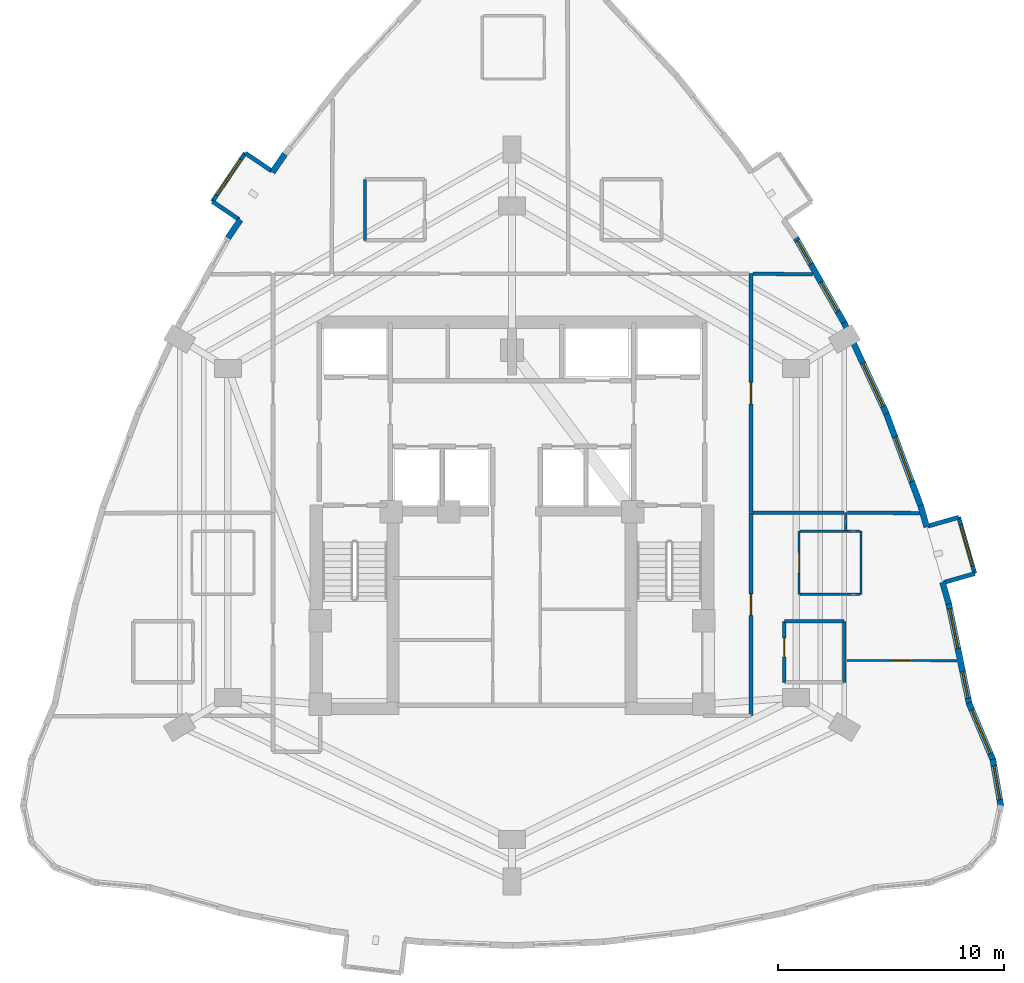
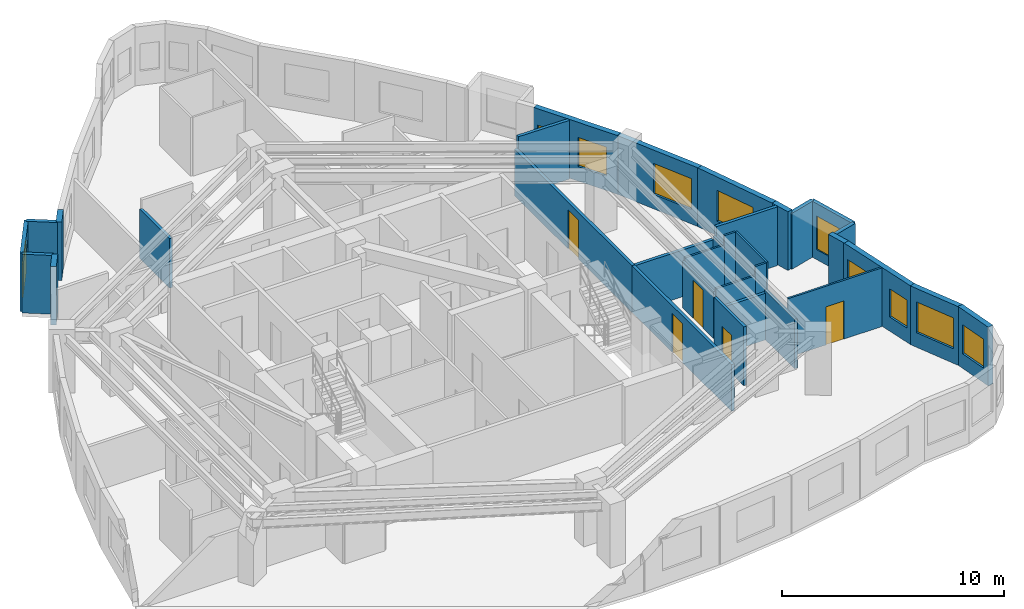
# One storey, part 6 of 9: 33 walls, 10 windows, 5 doors, 15 openings.
"""IFC4 building model written with IfcOpenShell, lengths in metres."""

from ifc_helpers import new_model, si_unit, direction, frame, frame_2d, origin, place, context, subcontext, project, spatial, rectangle, extrude, material, layer, layer_set, type_object, element, fill, save


model = new_model("IFC4")

# Units and contexts
model_context = context("Model", 3, precision=1e-05, world=origin(), true_north=direction((0.0, 1.0)))
body_context = subcontext(model_context, "Body", "Model", "MODEL_VIEW")
ifc_project = project(units=[si_unit("LENGTHUNIT", "METRE"), si_unit("AREAUNIT", "SQUARE_METRE"), si_unit("VOLUMEUNIT", "CUBIC_METRE"), si_unit("PLANEANGLEUNIT", "RADIAN"), si_unit("MASSUNIT", "GRAM", prefix="KILO")], contexts=[model_context])

# Site, building, storey
site_placement = place(None, origin())
site = spatial("IfcSite", under=ifc_project, at=site_placement, CompositionType="ELEMENT")
building_placement = place(site_placement, origin())
building = spatial("IfcBuilding", under=site, at=building_placement, Name="Miruveldt Soraemaru", CompositionType="ELEMENT")
storey_placement = place(building_placement, frame((0.0, 0.0, 138.89990234375)))
storey = spatial("IfcBuildingStorey", under=building, at=storey_placement, Name="L38", CompositionType="ELEMENT", Elevation=138.89990234375)

# Walls
ifc_material_1 = material(Name="White powder-coated aluminium EN AW-6060 T6", Category="aluminium")
ifc_layer_1 = layer(ifc_material_1, 0.18994140625, Name="White powder-coated aluminium EN AW-6060 T6", Category="aluminium")
ifc_layer_set_1 = layer_set([ifc_layer_1], Name="White powder-coated aluminium EN AW-6060 T6")
wall_type_1 = type_object("IfcWallType", Name="WALL-BAY-ALU190", PredefinedType="SOLIDWALL", material=ifc_layer_set_1)
for number, where, z_axis, x_axis, name in (
    (1, (33.350341796875, 59.151611328125, 0.0), (0.0, 0.0, 1.0), (-0.827995667279, 0.560734495966, 0.0), "L38 Bay Window Side Cheek 4L"),
    (2, (30.71240234375, 57.798095703125, 0.0), (0.0, 0.0, 1.0), (0.827862228344, -0.560931485016, 0.0), "L38 Bay Window Side Cheek 4R"),
):
    element("IfcWall", number, at=place(storey_placement, frame(where, z_axis=z_axis, x_axis=x_axis)), inside=storey, type_object=wall_type_1, Name=name, PredefinedType="SOLIDWALL", context=body_context, shape_type="SweptSolid", body=[
        extrude(rectangle(XDim=1.425048828125, YDim=0.18994140625, at=frame_2d((0.71240234375, 0.0))), origin(), (0.0, 0.0, 1.0), 3.235107421875),
    ])

# Wall, opening, window
wall_1_placement = place(storey_placement, frame((32.17041015625, 59.95068359375, 0.0), z_axis=(0.0, 0.0, 1.0), x_axis=(-0.560796235507, -0.827953852724, 0.0)))
wall_1 = element("IfcWall", 3, at=wall_1_placement, inside=storey, type_object=wall_type_1, Name="L38 Bay Window Front Frame 4", PredefinedType="SOLIDWALL", context=body_context, shape_type="SweptSolid", body=[
    extrude(rectangle(XDim=2.599853515625, YDim=0.18994140625, at=frame_2d((1.2998046875, 0.0))), origin(), (0.0, 0.0, 1.0), 3.235107421875),
])
opening_1_placement = place(wall_1_placement, frame((0.35009765625, 0.0, 0.550048828125)))
opening_1 = element("IfcOpeningElement", 4, at=opening_1_placement, cuts=wall_1, Name="Opening WN-6", PredefinedType="OPENING", context=body_context, shape_type="SweptSolid", body=[
    extrude(rectangle(XDim=1.89990234375, YDim=1.85009765625, at=frame_2d((0.949951171875, 0.925048828125))), frame((0.0, 0.10498046875, 0.0), z_axis=(0.0, -1.0, 0.0), x_axis=(1.0, 0.0, 0.0)), (0.0, 0.0, 1.0), 0.2099609375),
])
ifc_material_2 = material(Name="Triple low-e insulated glazing", Category="glass")
window_type_1 = type_object("IfcWindowType", Name="WIN-BAYW-1900x1850", PartitioningType="SINGLE_PANEL", PredefinedType="WINDOW", material=ifc_material_2)
window_1_placement = place(opening_1_placement, origin())
window_1 = element("IfcWindow", 5, at=window_1_placement, inside=storey, type_object=window_type_1, Name="L38 Projecting Bay Window 4", OverallHeight=1.85009765625, OverallWidth=1.89990234375, PartitioningType="SINGLE_PANEL", PredefinedType="WINDOW", context=body_context, shape_type="SweptSolid", body=[
    extrude(rectangle(XDim=1.89990234375, YDim=1.85009765625, at=frame_2d((0.949951171875, 0.925048828125))), frame((0.0, 0.030029296875, 0.0), z_axis=(0.0, -1.0, 0.0), x_axis=(1.0, 0.0, 0.0)), (0.0, 0.0, 1.0), 0.06005859375),
])
fill(opening_1, window_1)

# Walls
wall_2_placement = place(storey_placement, frame((63.153564453125, 40.90478515625, 0.0), z_axis=(0.0, 0.0, 1.0), x_axis=(0.961452801096, 0.274970018845, 0.0)))
element("IfcWall", 6, at=wall_2_placement, inside=storey, type_object=wall_type_1, Name="L38 Bay Window Side Cheek 2L", PredefinedType="SOLIDWALL", context=body_context, shape_type="SweptSolid", body=[
    extrude(rectangle(XDim=1.425048828125, YDim=0.18994140625, at=frame_2d((0.71240234375, 0.0))), origin(), (0.0, 0.0, 1.0), 3.085205078125),
])
wall_3_placement = place(storey_placement, frame((63.80859375, 43.79638671875, 0.0), z_axis=(0.0, 0.0, 1.0), x_axis=(-0.961439844578, -0.275015318223, 0.0)))
element("IfcWall", 7, at=wall_3_placement, inside=storey, type_object=wall_type_1, Name="L38 Bay Window Side Cheek 2R", PredefinedType="SOLIDWALL", context=body_context, shape_type="SweptSolid", body=[
    extrude(rectangle(XDim=1.4248046875, YDim=0.18994140625, at=frame_2d((0.71240234375, 0.0))), origin(), (0.0, 0.0, 1.0), 3.085205078125),
])

# Wall, opening, window
wall_4_placement = place(storey_placement, frame((64.523681640625, 41.296630859375, 0.0), z_axis=(0.0, 0.0, 1.0), x_axis=(-0.275031158597, 0.961435313373, 0.0)))
wall_4 = element("IfcWall", 8, at=wall_4_placement, inside=storey, type_object=wall_type_1, Name="L38 Bay Window Front Frame 2", PredefinedType="SOLIDWALL", context=body_context, shape_type="SweptSolid", body=[
    extrude(rectangle(XDim=2.60009765625, YDim=0.18994140625, at=frame_2d((1.300048828125, 0.0))), origin(), (0.0, 0.0, 1.0), 3.085205078125),
])
opening_2_placement = place(wall_4_placement, frame((0.35009765625, 0.0, 0.550048828125)))
opening_2 = element("IfcOpeningElement", 9, at=opening_2_placement, cuts=wall_4, Name="Opening WN-6", PredefinedType="OPENING", context=body_context, shape_type="SweptSolid", body=[
    extrude(rectangle(XDim=1.89990234375, YDim=1.85009765625, at=frame_2d((0.949951171875, 0.925048828125))), frame((0.0, 0.10498046875, 0.0), z_axis=(0.0, -1.0, 0.0), x_axis=(1.0, 0.0, 0.0)), (0.0, 0.0, 1.0), 0.2099609375),
])
window_2_placement = place(opening_2_placement, origin())
window_2 = element("IfcWindow", 10, at=window_2_placement, inside=storey, type_object=window_type_1, Name="L38 Projecting Bay Window 2", OverallHeight=1.85009765625, OverallWidth=1.89990234375, PartitioningType="SINGLE_PANEL", PredefinedType="WINDOW", context=body_context, shape_type="SweptSolid", body=[
    extrude(rectangle(XDim=1.89990234375, YDim=1.85009765625, at=frame_2d((0.949951171875, 0.925048828125))), frame((0.0, 0.030029296875, 0.0), z_axis=(0.0, -1.0, 0.0), x_axis=(1.0, 0.0, 0.0)), (0.0, 0.0, 1.0), 0.06005859375),
])
fill(opening_2, window_2)

# Walls
ifc_material_3 = material(Name="Precast concrete C45/55 (45 MPa)", Category="concrete")
ifc_layer_2 = layer(ifc_material_3, 0.27001953125, Name="Precast concrete C45/55 (45 MPa)", Category="concrete")
ifc_layer_set_2 = layer_set([ifc_layer_2], Name="Precast concrete C45/55 (45 MPa)")
wall_type_2 = type_object("IfcWallType", Name="WALL-EXT-PC270", PredefinedType="SOLIDWALL", material=ifc_layer_set_2)
wall_5_placement = place(storey_placement, frame((33.92431640625, 59.90087890625, 0.0), z_axis=(0.0, 0.0, 1.0), x_axis=(-0.560942525399, -0.827854747645, 0.0)))
element("IfcWall", 11, at=wall_5_placement, inside=storey, type_object=wall_type_2, Name="L38 Precast Pier Wall 9A", PredefinedType="SOLIDWALL", context=body_context, shape_type="SweptSolid", body=[
    extrude(rectangle(XDim=0.972412109375, YDim=0.27001953125, at=frame_2d((0.486328125, 0.0))), origin(), (0.0, 0.0, 1.0), 3.235107421875),
])
wall_6_placement = place(storey_placement, frame((31.954345703125, 56.992919921875, 0.0), z_axis=(0.0, 0.0, 1.0), x_axis=(-0.560770403853, -0.827971348636, 0.0)))
element("IfcWall", 12, at=wall_6_placement, inside=storey, type_object=wall_type_2, Name="L38 Precast Pier Wall 9B", PredefinedType="SOLIDWALL", context=body_context, shape_type="SweptSolid", body=[
    extrude(rectangle(XDim=0.97216796875, YDim=0.27001953125, at=frame_2d((0.486083984375, 0.0))), origin(), (0.0, 0.0, 1.0), 3.235107421875),
])

# Wall, opening, window
wall_7_placement = place(storey_placement, frame((65.68408203125, 30.962158203125, 0.0), z_axis=(0.0, 0.0, 1.0), x_axis=(-0.169334105823, 0.985558704799, 0.0)))
wall_7 = element("IfcWall", 13, at=wall_7_placement, inside=storey, type_object=wall_type_2, Name="L38 Precast Concrete Facade Wall 33", PredefinedType="SOLIDWALL", context=body_context, shape_type="SweptSolid", body=[
    extrude(rectangle(XDim=2.14111328125, YDim=0.27001953125, at=frame_2d((1.070556640625, 0.0))), origin(), (0.0, 0.0, 1.0), 3.235107421875),
])
opening_3_placement = place(wall_7_placement, frame((0.321044921875, 0.0, 0.800048828125)))
opening_3 = element("IfcOpeningElement", 14, at=opening_3_placement, cuts=wall_7, Name="Opening WN-3", PredefinedType="OPENING", context=body_context, shape_type="SweptSolid", body=[
    extrude(rectangle(XDim=1.5, YDim=1.60009765625, at=frame_2d((0.75, 0.800048828125))), frame((0.0, 0.14501953125, 0.0), z_axis=(0.0, -1.0, 0.0), x_axis=(1.0, 0.0, 0.0)), (0.0, 0.0, 1.0), 0.2900390625),
])
window_type_2 = type_object("IfcWindowType", Name="WIN-PUNCH-1500x1600", PartitioningType="SINGLE_PANEL", PredefinedType="WINDOW", material=ifc_material_2)
window_3_placement = place(opening_3_placement, origin())
window_3 = element("IfcWindow", 15, at=window_3_placement, inside=storey, type_object=window_type_2, Name="L38 Punched Triple-Glazed Window 33.1", OverallHeight=1.60009765625, OverallWidth=1.5, PartitioningType="SINGLE_PANEL", PredefinedType="WINDOW", context=body_context, shape_type="SweptSolid", body=[
    extrude(rectangle(XDim=1.5, YDim=1.60009765625, at=frame_2d((0.75, 0.800048828125))), frame((0.0, 0.030029296875, 0.0), z_axis=(0.0, -1.0, 0.0), x_axis=(1.0, 0.0, 0.0)), (0.0, 0.0, 1.0), 0.06005859375),
])
fill(opening_3, window_3)

wall_8_placement = place(storey_placement, frame((65.341064453125, 33.005615234375, 0.0), z_axis=(0.0, 0.0, 1.0), x_axis=(-0.38861888623, 0.921398589789, 0.0)))
wall_8 = element("IfcWall", 16, at=wall_8_placement, inside=storey, type_object=wall_type_2, Name="L38 Precast Concrete Facade Wall 34", PredefinedType="SOLIDWALL", context=body_context, shape_type="SweptSolid", body=[
    extrude(rectangle(XDim=2.77734375, YDim=0.27001953125, at=frame_2d((1.388671875, 0.0))), origin(), (0.0, 0.0, 1.0), 3.235107421875),
])
opening_4_placement = place(wall_8_placement, frame((0.339111328125, 0.0, 0.800048828125)))
opening_4 = element("IfcOpeningElement", 17, at=opening_4_placement, cuts=wall_8, Name="Opening WN-1", PredefinedType="OPENING", context=body_context, shape_type="SweptSolid", body=[
    extrude(rectangle(XDim=2.10009765625, YDim=1.699951171875, at=frame_2d((1.050048828125, 0.85009765625))), frame((0.0, 0.14501953125, 0.0), z_axis=(0.0, -1.0, 0.0), x_axis=(1.0, 0.0, 0.0)), (0.0, 0.0, 1.0), 0.2900390625),
])
window_type_3 = type_object("IfcWindowType", Name="WIN-PUNCH-2100x1700", PartitioningType="SINGLE_PANEL", PredefinedType="WINDOW", material=ifc_material_2)
window_4_placement = place(opening_4_placement, origin())
window_4 = element("IfcWindow", 18, at=window_4_placement, inside=storey, type_object=window_type_3, Name="L38 Punched Triple-Glazed Window 34.1", OverallHeight=1.699951171875, OverallWidth=2.10009765625, PartitioningType="SINGLE_PANEL", PredefinedType="WINDOW", context=body_context, shape_type="SweptSolid", body=[
    extrude(rectangle(XDim=2.10009765625, YDim=1.699951171875, at=frame_2d((1.050048828125, 0.85009765625))), frame((0.0, 0.030029296875, 0.0), z_axis=(0.0, -1.0, 0.0), x_axis=(1.0, 0.0, 0.0)), (0.0, 0.0, 1.0), 0.06005859375),
])
fill(opening_4, window_4)

# Wall, openings, windows
wall_9_placement = place(storey_placement, frame((64.2822265625, 35.498291015625, 0.0), z_axis=(0.0, 0.0, 1.0), x_axis=(-0.201588826085, 0.979470237015, 0.0)))
wall_9 = element("IfcWall", 19, at=wall_9_placement, inside=storey, type_object=wall_type_2, Name="L38 Precast Concrete Facade Wall 35", PredefinedType="SOLIDWALL", context=body_context, shape_type="SweptSolid", body=[
    extrude(rectangle(XDim=4.62158203125, YDim=0.27001953125, at=frame_2d((2.310791015625, 0.0))), origin(), (0.0, 0.0, 1.0), 3.235107421875),
])
opening_5_placement = place(wall_9_placement, frame((0.283935546875, 0.0, 0.780029296875)))
opening_5 = element("IfcOpeningElement", 20, at=opening_5_placement, cuts=wall_9, Name="Opening WN-4", PredefinedType="OPENING", context=body_context, shape_type="SweptSolid", body=[
    extrude(rectangle(XDim=1.199951171875, YDim=1.550048828125, at=frame_2d((0.60009765625, 0.77490234375))), frame((0.0, 0.14501953125, 0.0), z_axis=(0.0, -1.0, 0.0), x_axis=(1.0, 0.0, 0.0)), (0.0, 0.0, 1.0), 0.2900390625),
])
opening_6_placement = place(wall_9_placement, frame((2.535888671875, 0.0, 0.800048828125)))
opening_6 = element("IfcOpeningElement", 21, at=opening_6_placement, cuts=wall_9, Name="Opening WN-2", PredefinedType="OPENING", context=body_context, shape_type="SweptSolid", body=[
    extrude(rectangle(XDim=1.800048828125, YDim=1.64990234375, at=frame_2d((0.89990234375, 0.824951171875))), frame((0.0, 0.14501953125, 0.0), z_axis=(0.0, -1.0, 0.0), x_axis=(1.0, 0.0, 0.0)), (0.0, 0.0, 1.0), 0.2900390625),
])
window_type_4 = type_object("IfcWindowType", Name="WIN-PUNCH-1200x1550", PartitioningType="SINGLE_PANEL", PredefinedType="WINDOW", material=ifc_material_2)
window_5_placement = place(opening_5_placement, origin())
window_5 = element("IfcWindow", 22, at=window_5_placement, inside=storey, type_object=window_type_4, Name="L38 Punched Triple-Glazed Window 35.1", OverallHeight=1.550048828125, OverallWidth=1.199951171875, PartitioningType="SINGLE_PANEL", PredefinedType="WINDOW", context=body_context, shape_type="SweptSolid", body=[
    extrude(rectangle(XDim=1.199951171875, YDim=1.550048828125, at=frame_2d((0.60009765625, 0.77490234375))), frame((0.0, 0.030029296875, 0.0), z_axis=(0.0, -1.0, 0.0), x_axis=(1.0, 0.0, 0.0)), (0.0, 0.0, 1.0), 0.06005859375),
])
fill(opening_5, window_5)
window_type_5 = type_object("IfcWindowType", Name="WIN-PUNCH-1800x1650", PartitioningType="SINGLE_PANEL", PredefinedType="WINDOW", material=ifc_material_2)
window_6_placement = place(opening_6_placement, origin())
window_6 = element("IfcWindow", 23, at=window_6_placement, inside=storey, type_object=window_type_5, Name="L38 Punched Triple-Glazed Window 35.2", OverallHeight=1.64990234375, OverallWidth=1.800048828125, PartitioningType="SINGLE_PANEL", PredefinedType="WINDOW", context=body_context, shape_type="SweptSolid", body=[
    extrude(rectangle(XDim=1.800048828125, YDim=1.64990234375, at=frame_2d((0.89990234375, 0.824951171875))), frame((0.0, 0.030029296875, 0.0), z_axis=(0.0, -1.0, 0.0), x_axis=(1.0, 0.0, 0.0)), (0.0, 0.0, 1.0), 0.06005859375),
])
fill(opening_6, window_6)

# Walls
for number, where, z_axis, x_axis, name in (
    (24, (63.367431640625, 39.95703125, 0.0), (0.0, 0.0, 1.0), (-0.274914600891, 0.961468648588, 0.0), "L38 Precast Pier Wall 36A"),
    (25, (62.393798828125, 43.360595703125, 0.0), (0.0, 0.0, 1.0), (-0.274914600891, 0.961468648588, 0.0), "L38 Precast Pier Wall 36B"),
):
    element("IfcWall", number, at=place(storey_placement, frame(where, z_axis=z_axis, x_axis=x_axis)), inside=storey, type_object=wall_type_2, Name=name, PredefinedType="SOLIDWALL", context=body_context, shape_type="SweptSolid", body=[
        extrude(rectangle(XDim=1.0, YDim=0.27001953125, at=frame_2d((0.5, 0.0))), origin(), (0.0, 0.0, 1.0), 3.235107421875),
    ])

# Wall, opening, window
wall_10_placement = place(storey_placement, frame((62.140869140625, 44.255615234375, 0.0), z_axis=(0.0, 0.0, 1.0), x_axis=(-0.349028406378, 0.937112144592, 0.0)))
wall_10 = element("IfcWall", 26, at=wall_10_placement, inside=storey, type_object=wall_type_2, Name="L38 Precast Concrete Facade Wall 37", PredefinedType="SOLIDWALL", context=body_context, shape_type="SweptSolid", body=[
    extrude(rectangle(XDim=4.484375, YDim=0.27001953125, at=frame_2d((2.2421875, 0.0))), origin(), (0.0, 0.0, 1.0), 3.235107421875),
])
opening_7_placement = place(wall_10_placement, frame((1.197998046875, 0.0, 0.800048828125)))
opening_7 = element("IfcOpeningElement", 27, at=opening_7_placement, cuts=wall_10, Name="Opening WN-1", PredefinedType="OPENING", context=body_context, shape_type="SweptSolid", body=[
    extrude(rectangle(XDim=2.10009765625, YDim=1.699951171875, at=frame_2d((1.050048828125, 0.85009765625))), frame((0.0, 0.14501953125, 0.0), z_axis=(0.0, -1.0, 0.0), x_axis=(1.0, 0.0, 0.0)), (0.0, 0.0, 1.0), 0.2900390625),
])
window_7_placement = place(opening_7_placement, origin())
window_7 = element("IfcWindow", 28, at=window_7_placement, inside=storey, type_object=window_type_3, Name="L38 Punched Triple-Glazed Window 37.1", OverallHeight=1.699951171875, OverallWidth=2.10009765625, PartitioningType="SINGLE_PANEL", PredefinedType="WINDOW", context=body_context, shape_type="SweptSolid", body=[
    extrude(rectangle(XDim=2.10009765625, YDim=1.699951171875, at=frame_2d((1.050048828125, 0.85009765625))), frame((0.0, 0.030029296875, 0.0), z_axis=(0.0, -1.0, 0.0), x_axis=(1.0, 0.0, 0.0)), (0.0, 0.0, 1.0), 0.06005859375),
])
fill(opening_7, window_7)

wall_11_placement = place(storey_placement, frame((60.6025390625, 48.3935546875, 0.0), z_axis=(0.0, 0.0, 1.0), x_axis=(-0.422279541347, 0.906465657904, 0.0)))
wall_11 = element("IfcWall", 29, at=wall_11_placement, inside=storey, type_object=wall_type_2, Name="L38 Precast Concrete Facade Wall 38", PredefinedType="SOLIDWALL", context=body_context, shape_type="SweptSolid", body=[
    extrude(rectangle(XDim=4.456298828125, YDim=0.27001953125, at=frame_2d((2.22802734375, 0.0))), origin(), (0.0, 0.0, 1.0), 3.235107421875),
])
opening_8_placement = place(wall_11_placement, frame((0.35888671875, 0.0, 0.800048828125)))
opening_8 = element("IfcOpeningElement", 30, at=opening_8_placement, cuts=wall_11, Name="Opening WN-1", PredefinedType="OPENING", context=body_context, shape_type="SweptSolid", body=[
    extrude(rectangle(XDim=2.10009765625, YDim=1.699951171875, at=frame_2d((1.050048828125, 0.85009765625))), frame((0.0, 0.14501953125, 0.0), z_axis=(0.0, -1.0, 0.0), x_axis=(1.0, 0.0, 0.0)), (0.0, 0.0, 1.0), 0.2900390625),
])
window_8_placement = place(opening_8_placement, origin())
window_8 = element("IfcWindow", 31, at=window_8_placement, inside=storey, type_object=window_type_3, Name="L38 Punched Triple-Glazed Window 38.1", OverallHeight=1.699951171875, OverallWidth=2.10009765625, PartitioningType="SINGLE_PANEL", PredefinedType="WINDOW", context=body_context, shape_type="SweptSolid", body=[
    extrude(rectangle(XDim=2.10009765625, YDim=1.699951171875, at=frame_2d((1.050048828125, 0.85009765625))), frame((0.0, 0.030029296875, 0.0), z_axis=(0.0, -1.0, 0.0), x_axis=(1.0, 0.0, 0.0)), (0.0, 0.0, 1.0), 0.06005859375),
])
fill(opening_8, window_8)

# Wall, openings, windows
wall_12_placement = place(storey_placement, frame((58.752685546875, 52.37109375, 0.0), z_axis=(0.0, 0.0, 1.0), x_axis=(-0.493387123511, 0.869809833443, 0.0)))
wall_12 = element("IfcWall", 32, at=wall_12_placement, inside=storey, type_object=wall_type_2, Name="L38 Precast Concrete Facade Wall 39", PredefinedType="SOLIDWALL", context=body_context, shape_type="SweptSolid", body=[
    extrude(rectangle(XDim=4.456298828125, YDim=0.27001953125, at=frame_2d((2.22802734375, 0.0))), origin(), (0.0, 0.0, 1.0), 3.235107421875),
])
opening_9_placement = place(wall_12_placement, frame((0.633056640625, 0.0, 0.800048828125)))
opening_9 = element("IfcOpeningElement", 33, at=opening_9_placement, cuts=wall_12, Name="Opening WN-3", PredefinedType="OPENING", context=body_context, shape_type="SweptSolid", body=[
    extrude(rectangle(XDim=1.5, YDim=1.60009765625, at=frame_2d((0.75, 0.800048828125))), frame((0.0, 0.14501953125, 0.0), z_axis=(0.0, -1.0, 0.0), x_axis=(1.0, 0.0, 0.0)), (0.0, 0.0, 1.0), 0.2900390625),
])
opening_10_placement = place(wall_12_placement, frame((3.052978515625, 0.0, 0.780029296875)))
opening_10 = element("IfcOpeningElement", 34, at=opening_10_placement, cuts=wall_12, Name="Opening WN-4", PredefinedType="OPENING", context=body_context, shape_type="SweptSolid", body=[
    extrude(rectangle(XDim=1.199951171875, YDim=1.550048828125, at=frame_2d((0.60009765625, 0.77490234375))), frame((0.0, 0.14501953125, 0.0), z_axis=(0.0, -1.0, 0.0), x_axis=(1.0, 0.0, 0.0)), (0.0, 0.0, 1.0), 0.2900390625),
])
window_9_placement = place(opening_10_placement, origin())
window_9 = element("IfcWindow", 35, at=window_9_placement, inside=storey, type_object=window_type_4, Name="L38 Punched Triple-Glazed Window 39.2", OverallHeight=1.550048828125, OverallWidth=1.199951171875, PartitioningType="SINGLE_PANEL", PredefinedType="WINDOW", context=body_context, shape_type="SweptSolid", body=[
    extrude(rectangle(XDim=1.199951171875, YDim=1.550048828125, at=frame_2d((0.60009765625, 0.77490234375))), frame((0.0, 0.030029296875, 0.0), z_axis=(0.0, -1.0, 0.0), x_axis=(1.0, 0.0, 0.0)), (0.0, 0.0, 1.0), 0.06005859375),
])
fill(opening_10, window_9)
window_10_placement = place(opening_9_placement, origin())
window_10 = element("IfcWindow", 36, at=window_10_placement, inside=storey, type_object=window_type_2, Name="L38 Punched Triple-Glazed Window 39.1", OverallHeight=1.60009765625, OverallWidth=1.5, PartitioningType="SINGLE_PANEL", PredefinedType="WINDOW", context=body_context, shape_type="SweptSolid", body=[
    extrude(rectangle(XDim=1.5, YDim=1.60009765625, at=frame_2d((0.75, 0.800048828125))), frame((0.0, 0.030029296875, 0.0), z_axis=(0.0, -1.0, 0.0), x_axis=(1.0, 0.0, 0.0)), (0.0, 0.0, 1.0), 0.06005859375),
])
fill(opening_9, window_10)

# Wall, opening, door
ifc_material_4 = material(Name="Gypsum plasterboard lining", Category="gypsum")
ifc_layer_3 = layer(ifc_material_4, 0.10009765625, Name="Gypsum plasterboard lining", Category="gypsum")
ifc_layer_set_3 = layer_set([ifc_layer_3], Name="Gypsum plasterboard lining")
wall_type_3 = type_object("IfcWallType", Name="WALL-INT-P100", PredefinedType="PARTITIONING", material=ifc_layer_set_3)
wall_13_placement = place(storey_placement, frame((63.72998046875, 37.43603515625, 0.0), z_axis=(0.0, 0.0, 1.0), x_axis=(-0.999995933897, 0.002851699431, 0.0)))
wall_13 = element("IfcWall", 37, at=wall_13_placement, inside=storey, type_object=wall_type_3, Name="L38 Partition Wall 47", PredefinedType="PARTITIONING", context=body_context, shape_type="SweptSolid", body=[
    extrude(rectangle(XDim=4.8798828125, YDim=0.10009765625, at=frame_2d((2.43994140625, 0.0))), origin(), (0.0, 0.0, 1.0), 3.235107421875),
])
opening_11_placement = place(wall_13_placement, frame((1.97998046875, 0.0, 0.0)))
opening_11 = element("IfcOpeningElement", 38, at=opening_11_placement, cuts=wall_13, Name="Opening D3A", PredefinedType="OPENING", context=body_context, shape_type="SweptSolid", body=[
    extrude(rectangle(XDim=0.919921875, YDim=2.10009765625, at=frame_2d((0.4599609375, 1.050048828125))), frame((0.0, 0.06005859375, 0.0), z_axis=(0.0, -1.0, 0.0), x_axis=(1.0, 0.0, 0.0)), (0.0, 0.0, 1.0), 0.1201171875),
])
ifc_material_5 = material(Name="Anodised aluminium EN AW-6063 T6", Category="aluminium")
door_type_1 = type_object("IfcDoorType", Name="DOOR-INT-920", OperationType="NOTDEFINED", PredefinedType="DOOR", material=ifc_material_5)
door_1_placement = place(opening_11_placement, origin())
door_1 = element("IfcDoor", 39, at=door_1_placement, inside=storey, type_object=door_type_1, Name="L38 Unit 3807 BD1 Door", OperationType="SINGLE_SWING_LEFT", OverallHeight=2.10009765625, OverallWidth=0.919921875, PredefinedType="DOOR", context=body_context, shape_type="SweptSolid", body=[
    extrude(rectangle(XDim=0.919921875, YDim=2.10009765625, at=frame_2d((0.4599609375, 1.050048828125))), frame((0.0, 0.02490234375, 0.0), z_axis=(0.0, -1.0, 0.0), x_axis=(1.0, 0.0, 0.0)), (0.0, 0.0, 1.0), 0.050048828125),
])
fill(opening_11, door_1)

wall_14_placement = place(storey_placement, frame((56.72998046875, 43.179931640625, 0.0), z_axis=(0.0, 0.0, 1.0), x_axis=(0.0, -1.0, 0.0)))
wall_14 = element("IfcWall", 40, at=wall_14_placement, inside=storey, type_object=wall_type_3, Name="L38 Partition Wall 45", PredefinedType="PARTITIONING", context=body_context, shape_type="SweptSolid", body=[
    extrude(rectangle(XDim=2.800048828125, YDim=0.10009765625, at=frame_2d((1.39990234375, 0.0))), origin(), (0.0, 0.0, 1.0), 2.572998046875),
])
opening_12_placement = place(wall_14_placement, frame((0.93994140625, 0.0, 0.0)))
opening_12 = element("IfcOpeningElement", 41, at=opening_12_placement, cuts=wall_14, Name="Opening D3A", PredefinedType="OPENING", context=body_context, shape_type="SweptSolid", body=[
    extrude(rectangle(XDim=0.919921875, YDim=2.10009765625, at=frame_2d((0.4599609375, 1.050048828125))), frame((0.0, 0.06005859375, 0.0), z_axis=(0.0, -1.0, 0.0), x_axis=(1.0, 0.0, 0.0)), (0.0, 0.0, 1.0), 0.1201171875),
])
door_2_placement = place(opening_12_placement, origin())
door_2 = element("IfcDoor", 42, at=door_2_placement, inside=storey, type_object=door_type_1, Name="L38 Unit 3807 KIT Door", OperationType="SINGLE_SWING_RIGHT", OverallHeight=2.10009765625, OverallWidth=0.919921875, PredefinedType="DOOR", context=body_context, shape_type="SweptSolid", body=[
    extrude(rectangle(XDim=0.919921875, YDim=2.10009765625, at=frame_2d((0.4599609375, 1.050048828125))), frame((0.0, 0.02490234375, 0.0), z_axis=(0.0, -1.0, 0.0), x_axis=(1.0, 0.0, 0.0)), (0.0, 0.0, 1.0), 0.050048828125),
])
fill(opening_12, door_2)

# Walls
wall_15_placement = place(storey_placement, frame((59.47998046875, 40.3798828125, 0.0), z_axis=(0.0, 0.0, 1.0), x_axis=(0.0, 1.0, 0.0)))
element("IfcWall", 43, at=wall_15_placement, inside=storey, type_object=wall_type_3, Name="L38 Partition Wall 50", PredefinedType="PARTITIONING", context=body_context, shape_type="SweptSolid", body=[
    extrude(rectangle(XDim=2.800048828125, YDim=0.10009765625, at=frame_2d((1.39990234375, 0.0))), origin(), (0.0, 0.0, 1.0), 3.235107421875),
])
for number, where, z_axis, x_axis, name in (
    (44, (58.840087890625, 43.179931640625, 0.0), (0.0, 0.0, 1.0), (-1.0, 0.0, 0.0), "L38 Partition Wall 44"),
    (45, (56.780029296875, 40.3798828125, 0.0), (0.0, 0.0, 1.0), (1.0, 0.0, 0.0), "L38 Partition Wall 46"),
):
    element("IfcWall", number, at=place(storey_placement, frame(where, z_axis=z_axis, x_axis=x_axis)), inside=storey, type_object=wall_type_3, Name=name, PredefinedType="PARTITIONING", context=body_context, shape_type="SweptSolid", body=[
        extrude(rectangle(XDim=2.06005859375, YDim=0.10009765625, at=frame_2d((1.030029296875, 0.0))), origin(), (0.0, 0.0, 1.0), 2.72314453125),
    ])
wall_16_placement = place(storey_placement, frame((58.800048828125, 43.179931640625, 0.0), z_axis=(0.0, 0.0, 1.0), x_axis=(0.0, 1.0, 0.0)))
element("IfcWall", 46, at=wall_16_placement, inside=storey, type_object=wall_type_3, Name="L38 Partition Wall 48", PredefinedType="PARTITIONING", context=body_context, shape_type="SweptSolid", body=[
    extrude(rectangle(XDim=0.820068359375, YDim=0.10009765625, at=frame_2d((0.41015625, 0.0))), origin(), (0.0, 0.0, 1.0), 2.72314453125),
])
for number, where, z_axis, x_axis, name in (
    (47, (58.85009765625, 40.3798828125, 0.0), (0.0, 0.0, 1.0), (1.0, 0.0, 0.0), "L38 Partition Wall 49"),
    (48, (59.429931640625, 43.179931640625, 0.0), (0.0, 0.0, 1.0), (-1.0, 0.0, 0.0), "L38 Partition Wall 51"),
):
    element("IfcWall", number, at=place(storey_placement, frame(where, z_axis=z_axis, x_axis=x_axis)), inside=storey, type_object=wall_type_3, Name=name, PredefinedType="PARTITIONING", context=body_context, shape_type="SweptSolid", body=[
        extrude(rectangle(XDim=0.579833984375, YDim=0.10009765625, at=frame_2d((0.2900390625, 0.0))), origin(), (0.0, 0.0, 1.0), 3.235107421875),
    ])

# Wall, opening, door
ifc_layer_4 = layer(ifc_material_4, 0.14990234375, Name="Gypsum plasterboard lining", Category="gypsum")
ifc_layer_set_4 = layer_set([ifc_layer_4], Name="Gypsum plasterboard lining")
wall_type_4 = type_object("IfcWallType", Name="WALL-INT-PLUMB", PredefinedType="PLUMBINGWALL", material=ifc_layer_set_4)
wall_17_placement = place(storey_placement, frame((56.080078125, 39.179931640625, 0.0), z_axis=(0.0, 0.0, 1.0), x_axis=(0.0, -1.0, 0.0)))
wall_17 = element("IfcWall", 49, at=wall_17_placement, inside=storey, type_object=wall_type_4, Name="L38 Partition Wall 42", PredefinedType="PLUMBINGWALL", context=body_context, shape_type="SweptSolid", body=[
    extrude(rectangle(XDim=2.699951171875, YDim=0.14990234375, at=frame_2d((1.35009765625, 0.0))), origin(), (0.0, 0.0, 1.0), 3.235107421875),
])
opening_13_placement = place(wall_17_placement, frame((0.72998046875, 0.0, 0.0)))
opening_13 = element("IfcOpeningElement", 50, at=opening_13_placement, cuts=wall_17, Name="Opening FD3", PredefinedType="OPENING", context=body_context, shape_type="SweptSolid", body=[
    extrude(rectangle(XDim=0.85009765625, YDim=2.10009765625, at=frame_2d((0.425048828125, 1.050048828125))), frame((0.0, 0.0849609375, 0.0), z_axis=(0.0, -1.0, 0.0), x_axis=(1.0, 0.0, 0.0)), (0.0, 0.0, 1.0), 0.169921875),
])
door_type_2 = type_object("IfcDoorType", Name="DOOR-FD3-850", OperationType="NOTDEFINED", PredefinedType="DOOR", material=ifc_material_5)
door_3_placement = place(opening_13_placement, origin())
door_3 = element("IfcDoor", 51, at=door_3_placement, inside=storey, type_object=door_type_2, Name="L38 Unit 3807 BTH Door", OperationType="SINGLE_SWING_LEFT", OverallHeight=2.10009765625, OverallWidth=0.85009765625, PredefinedType="DOOR", context=body_context, shape_type="SweptSolid", body=[
    extrude(rectangle(XDim=0.85009765625, YDim=2.10009765625, at=frame_2d((0.425048828125, 1.050048828125))), frame((0.0, 0.02490234375, 0.0), z_axis=(0.0, -1.0, 0.0), x_axis=(1.0, 0.0, 0.0)), (0.0, 0.0, 1.0), 0.050048828125),
])
fill(opening_13, door_3)

# Walls
for number, where, z_axis, x_axis, name in (
    (52, (37.47998046875, 58.780029296875, 0.0), (0.0, 0.0, 1.0), (0.0, -1.0, 0.0), "L38 Partition Wall 16"),
    (53, (58.72998046875, 36.47998046875, 0.0), (0.0, 0.0, 1.0), (0.0, 1.0, 0.0), "L38 Partition Wall 40"),
):
    element("IfcWall", number, at=place(storey_placement, frame(where, z_axis=z_axis, x_axis=x_axis)), inside=storey, type_object=wall_type_4, Name=name, PredefinedType="PLUMBINGWALL", context=body_context, shape_type="SweptSolid", body=[
        extrude(rectangle(XDim=2.699951171875, YDim=0.14990234375, at=frame_2d((1.35009765625, 0.0))), origin(), (0.0, 0.0, 1.0), 2.72314453125),
    ])
wall_18_placement = place(storey_placement, frame((58.72998046875, 39.179931640625, 0.0), z_axis=(0.0, 0.0, 1.0), x_axis=(-1.0, 0.0, 0.0)))
element("IfcWall", 54, at=wall_18_placement, inside=storey, type_object=wall_type_4, Name="L38 Partition Wall 41", PredefinedType="PLUMBINGWALL", context=body_context, shape_type="SweptSolid", body=[
    extrude(rectangle(XDim=2.64990234375, YDim=0.14990234375, at=frame_2d((1.324951171875, 0.0))), origin(), (0.0, 0.0, 1.0), 2.572998046875),
])

# Wall, opening, door
ifc_material_6 = material(Name="Concrete C40/50 (40 MPa)", Category="concrete")
ifc_layer_5 = layer(ifc_material_6, 0.159912109375, Name="Concrete C40/50 (40 MPa)", Category="concrete")
ifc_layer_set_5 = layer_set([ifc_layer_5], Name="Concrete C40/50 (40 MPa)")
wall_type_5 = type_object("IfcWallType", Name="WALL-INT-RC160", PredefinedType="SOLIDWALL", material=ifc_layer_set_5)
wall_19_placement = place(storey_placement, frame((54.60009765625, 44.0, 0.0), z_axis=(0.0, 0.0, 1.0), x_axis=(0.0, 1.0, 0.0)))
wall_19 = element("IfcWall", 55, at=wall_19_placement, inside=storey, type_object=wall_type_5, Name="L38 Partition Wall 6", PredefinedType="SOLIDWALL", context=body_context, shape_type="SweptSolid", body=[
    extrude(rectangle(XDim=10.60009765625, YDim=0.159912109375, at=frame_2d((5.300048828125, 0.0))), origin(), (0.0, 0.0, 1.0), 2.572998046875),
])
opening_14_placement = place(wall_19_placement, frame((4.824951171875, 0.0, 0.0)))
opening_14 = element("IfcOpeningElement", 56, at=opening_14_placement, cuts=wall_19, Name="Opening FD2", PredefinedType="OPENING", context=body_context, shape_type="SweptSolid", body=[
    extrude(rectangle(XDim=0.949951171875, YDim=2.14990234375, at=frame_2d((0.47509765625, 1.074951171875))), frame((0.0, 0.08984375, 0.0), z_axis=(0.0, -1.0, 0.0), x_axis=(1.0, 0.0, 0.0)), (0.0, 0.0, 1.0), 0.179931640625),
])
door_type_3 = type_object("IfcDoorType", Name="DOOR-FD2-950", OperationType="NOTDEFINED", PredefinedType="DOOR", material=ifc_material_5)
door_4_placement = place(opening_14_placement, origin())
door_4 = element("IfcDoor", 57, at=door_4_placement, inside=storey, type_object=door_type_3, Name="L38 Unit CL06 Entrance Fire Door", OperationType="SINGLE_SWING_LEFT", OverallHeight=2.14990234375, OverallWidth=0.949951171875, PredefinedType="DOOR", context=body_context, shape_type="SweptSolid", body=[
    extrude(rectangle(XDim=0.949951171875, YDim=2.14990234375, at=frame_2d((0.47509765625, 1.074951171875))), frame((0.0, 0.02490234375, 0.0), z_axis=(0.0, -1.0, 0.0), x_axis=(1.0, 0.0, 0.0)), (0.0, 0.0, 1.0), 0.050048828125),
])
fill(opening_14, door_4)

wall_20_placement = place(storey_placement, frame((54.60009765625, 35.0, 0.0), z_axis=(0.0, 0.0, 1.0), x_axis=(0.0, 1.0, 0.0)))
wall_20 = element("IfcWall", 58, at=wall_20_placement, inside=storey, type_object=wall_type_5, Name="L38 Partition Wall 11", PredefinedType="SOLIDWALL", context=body_context, shape_type="SweptSolid", body=[
    extrude(rectangle(XDim=8.992919921875, YDim=0.159912109375, at=frame_2d((4.49658203125, 0.0))), origin(), (0.0, 0.0, 1.0), 2.572998046875),
])
opening_15_placement = place(wall_20_placement, frame((4.445068359375, 0.0, 0.0)))
opening_15 = element("IfcOpeningElement", 59, at=opening_15_placement, cuts=wall_20, Name="Opening FD2", PredefinedType="OPENING", context=body_context, shape_type="SweptSolid", body=[
    extrude(rectangle(XDim=0.949951171875, YDim=2.14990234375, at=frame_2d((0.47509765625, 1.074951171875))), frame((0.0, 0.08984375, 0.0), z_axis=(0.0, -1.0, 0.0), x_axis=(1.0, 0.0, 0.0)), (0.0, 0.0, 1.0), 0.179931640625),
])
door_5_placement = place(opening_15_placement, origin())
door_5 = element("IfcDoor", 60, at=door_5_placement, inside=storey, type_object=door_type_3, Name="L38 Unit 3807 Entrance Fire Door", OperationType="SINGLE_SWING_RIGHT", OverallHeight=2.14990234375, OverallWidth=0.949951171875, PredefinedType="DOOR", context=body_context, shape_type="SweptSolid", body=[
    extrude(rectangle(XDim=0.949951171875, YDim=2.14990234375, at=frame_2d((0.47509765625, 1.074951171875))), frame((0.0, 0.02490234375, 0.0), z_axis=(0.0, -1.0, 0.0), x_axis=(1.0, 0.0, 0.0)), (0.0, 0.0, 1.0), 0.050048828125),
])
fill(opening_15, door_5)

# Walls
wall_21_placement = place(storey_placement, frame((54.68701171875, 44.0, 0.0), z_axis=(0.0, 0.0, 1.0), x_axis=(1.0, 0.0, 0.0)))
element("IfcWall", 61, at=wall_21_placement, inside=storey, type_object=wall_type_5, Name="L38 Partition Wall 38", PredefinedType="SOLIDWALL", context=body_context, shape_type="SweptSolid", body=[
    extrude(rectangle(XDim=4.02587890625, YDim=0.159912109375, at=frame_2d((2.012939453125, 0.0))), origin(), (0.0, 0.0, 1.0), 2.572998046875),
])
wall_22_placement = place(storey_placement, frame((58.8798828125, 44.0, 0.0), z_axis=(0.0, 0.0, 1.0), x_axis=(0.999982083272, -0.005986078472, 0.0)))
element("IfcWall", 62, at=wall_22_placement, inside=storey, type_object=wall_type_5, Name="L38 Partition Wall 39", PredefinedType="SOLIDWALL", context=body_context, shape_type="SweptSolid", body=[
    extrude(rectangle(XDim=3.18115234375, YDim=0.159912109375, at=frame_2d((1.590576171875, 0.0))), origin(), (0.0, 0.0, 1.0), 3.235107421875),
])
wall_23_placement = place(storey_placement, frame((54.679931640625, 54.59912109375, 0.0), z_axis=(0.0, 0.0, 1.0), x_axis=(0.999921812315, -0.012504769331, 0.0)))
element("IfcWall", 63, at=wall_23_placement, inside=storey, type_object=wall_type_5, Name="L38 Partition Wall 27", PredefinedType="SOLIDWALL", context=body_context, shape_type="SweptSolid", body=[
    extrude(rectangle(XDim=2.6552734375, YDim=0.159912109375, at=frame_2d((1.32763671875, 0.0))), origin(), (0.0, 0.0, 1.0), 3.235107421875),
])

save(model, "model.ifc")
